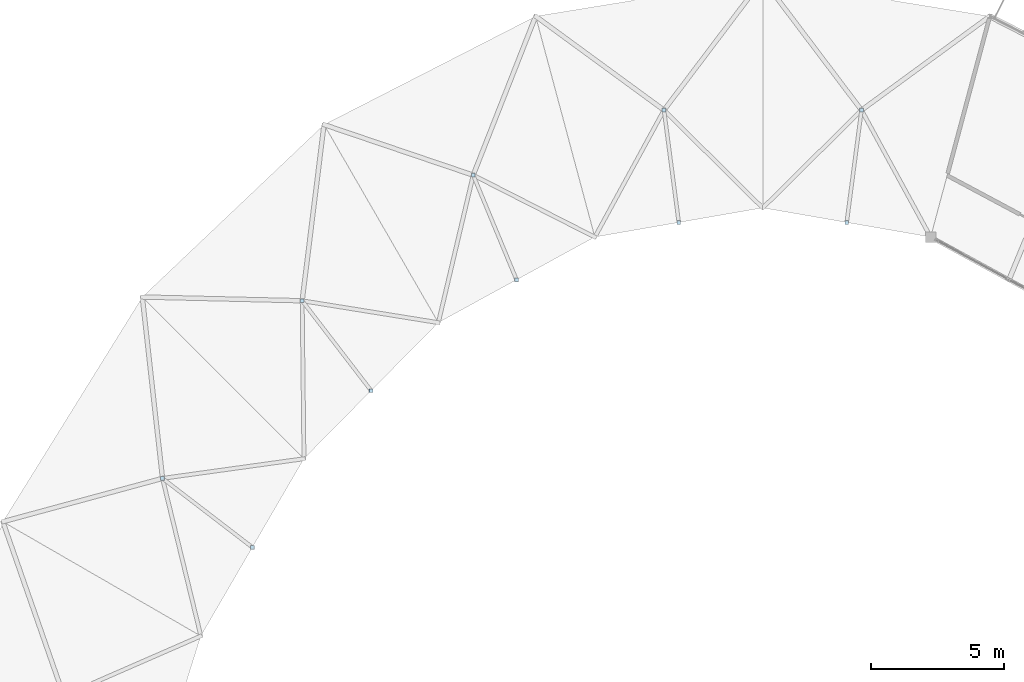
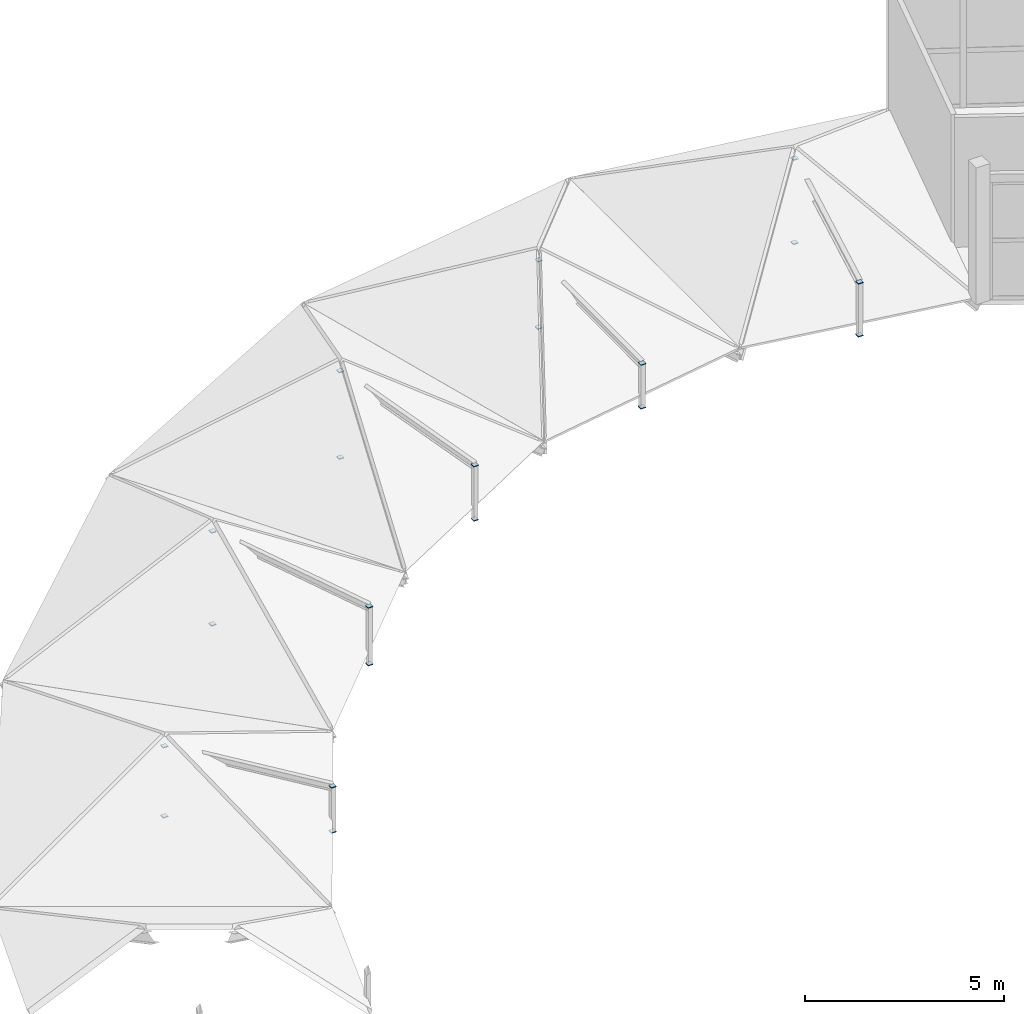
# One storey, part 53 of 66: 20 plates.
"""IFC4 building model written with IfcOpenShell, lengths in metres."""

from ifc_helpers import new_model, si_unit, direction, frame, origin, origin_2d, place, context, subcontext, project, spatial, rectangle, extrude, material, layer, layer_set, type_object, element, save


model = new_model("IFC4")

# Units and contexts
model_context = context("Model", 3, precision=1e-05, world=origin(), true_north=direction((0.0, 1.0)))
body_context = subcontext(model_context, "Body", "Model", "MODEL_VIEW")
ifc_project = project(units=[si_unit("LENGTHUNIT", "METRE"), si_unit("AREAUNIT", "SQUARE_METRE"), si_unit("VOLUMEUNIT", "CUBIC_METRE"), si_unit("PLANEANGLEUNIT", "RADIAN"), si_unit("MASSUNIT", "GRAM", prefix="KILO")], contexts=[model_context])

# Site, building, storey
site_placement = place(None, origin())
site = spatial("IfcSite", under=ifc_project, at=site_placement, CompositionType="ELEMENT")
building_placement = place(site_placement, origin())
building = spatial("IfcBuilding", under=site, at=building_placement, Name="Karori Crest Natural Sciences Institute", CompositionType="ELEMENT")
storey_placement = place(building_placement, frame((0.0, 0.0, 30.10009765625)))
storey = spatial("IfcBuildingStorey", under=building, at=storey_placement, Name="L07", CompositionType="ELEMENT", Elevation=30.10009765625)

# Plates
ifc_material = material(Name="Structural steel AS/NZS 3679.1 Grade 350", Category="steel")
ifc_layer = layer(ifc_material, 0.02490234375, Name="Structural steel AS/NZS 3679.1 Grade 350")
ifc_layer_set = layer_set([ifc_layer], Name="Structural steel AS/NZS 3679.1 Grade 350")
plate_type = type_object("IfcPlateType", Name="PLT-06-EL", PredefinedType="SHEET", material=ifc_layer_set)
for number, where, z_axis, x_axis, name in (
    (1, (70.114013671875, 85.778076171875, -0.27001953125), (0.0, 0.0, 1.0), (1.0, 0.0, 0.0), "Hollow section end cap EP-0077"),
    (2, (70.114013671875, 85.778076171875, 2.31103515625), (0.0, 0.0, 1.0), (1.0, 0.0, 0.0), "Hollow section end cap EP-0078"),
    (3, (69.5576171875, 81.551513671875, -0.34814453125), (0.0, 0.0, 1.0), (1.0, 0.0, 0.0), "Hollow section end cap EP-0079"),
    (4, (69.5576171875, 81.551513671875, 1.27392578125), (0.0, 0.0, 1.0), (1.0, 0.0, 0.0), "Hollow section end cap EP-0080"),
    (5, (62.68603515625, 85.778076171875, -0.27001953125), (0.0, 0.0, 1.0), (1.0, 0.0, 0.0), "Hollow section end cap EP-0081"),
    (6, (62.68603515625, 85.778076171875, 1.7919921875), (0.0, 0.0, 1.0), (1.0, 0.0, 0.0), "Hollow section end cap EP-0082"),
    (7, (63.242431640625, 81.551513671875, -0.34814453125), (0.0, 0.0, 1.0), (1.0, 0.0, 0.0), "Hollow section end cap EP-0083"),
    (8, (63.242431640625, 81.551513671875, 0.990966796875), (0.0, 0.0, 1.0), (1.0, 0.0, 0.0), "Hollow section end cap EP-0084"),
    (9, (55.510986328125, 83.3330078125, -0.27001953125), (0.0, 0.0, 1.0), (1.0, 0.0, 0.0), "Hollow section end cap EP-0085"),
    (10, (55.510986328125, 83.3330078125, 2.388916015625), (0.0, 0.0, 1.0), (1.0, 0.0, 0.0), "Hollow section end cap EP-0086"),
    (11, (57.142333984375, 79.394287109375, -0.34814453125), (0.0, 0.0, 1.0), (1.0, 0.0, 0.0), "Hollow section end cap EP-0087"),
    (12, (57.142333984375, 79.394287109375, 1.31689453125), (0.0, 0.0, 1.0), (1.0, 0.0, 0.0), "Hollow section end cap EP-0088"),
    (13, (49.077880859375, 78.609619140625, -0.27001953125), (0.0, 0.0, 1.0), (1.0, 0.0, 0.0), "Hollow section end cap EP-0089"),
    (14, (49.077880859375, 78.609619140625, 2.5810546875), (0.0, 0.0, 1.0), (1.0, 0.0, 0.0), "Hollow section end cap EP-0090"),
    (15, (51.67333984375, 75.227294921875, -0.34814453125), (0.0, 0.0, 1.0), (1.0, 0.0, 0.0), "Hollow section end cap EP-0091"),
    (16, (51.67333984375, 75.227294921875, 1.421875), (0.0, 0.0, 1.0), (1.0, 0.0, 0.0), "Hollow section end cap EP-0092"),
    (17, (43.82568359375, 71.9296875, -0.27001953125), (0.0, 0.0, 1.0), (1.0, 0.0, 0.0), "Hollow section end cap EP-0093"),
    (18, (43.82568359375, 71.9296875, 1.87890625), (0.0, 0.0, 1.0), (1.0, 0.0, 0.0), "Hollow section end cap EP-0094"),
    (19, (47.207763671875, 69.33447265625, -0.34814453125), (0.0, 0.0, 1.0), (1.0, 0.0, 0.0), "Hollow section end cap EP-0095"),
    (20, (47.207763671875, 69.33447265625, 1.037841796875), (0.0, 0.0, 1.0), (1.0, 0.0, 0.0), "Hollow section end cap EP-0096"),
):
    element("IfcPlate", number, at=place(storey_placement, frame(where, z_axis=z_axis, x_axis=x_axis)), inside=storey, type_object=plate_type, Name=name, PredefinedType="SHEET", context=body_context, shape_type="SweptSolid", body=[
        extrude(rectangle(XDim=0.14501953125, YDim=0.14501953125, at=origin_2d()), origin(), (0.0, 0.0, 1.0), 0.02490234375),
    ])

save(model, "model.ifc")
